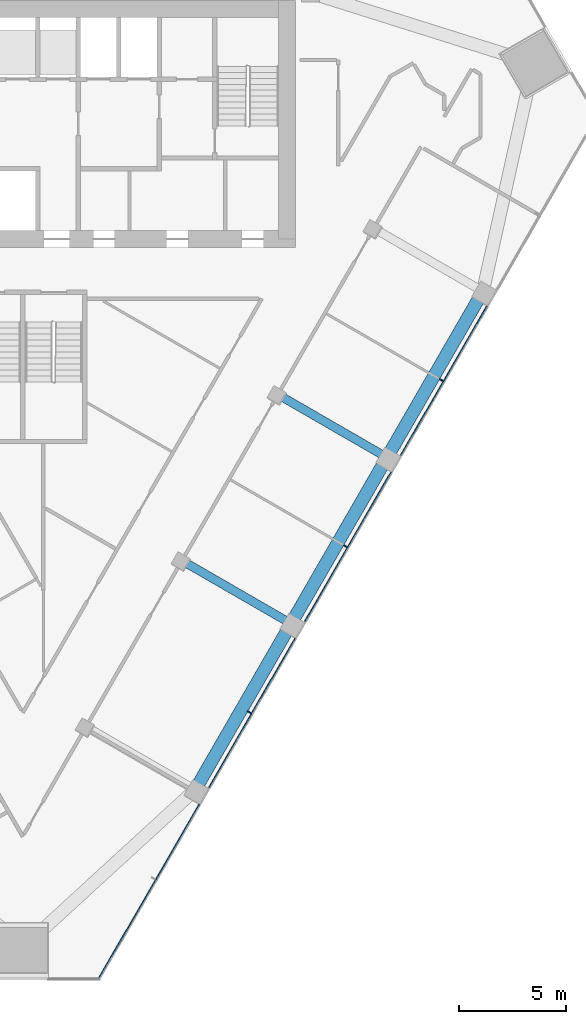
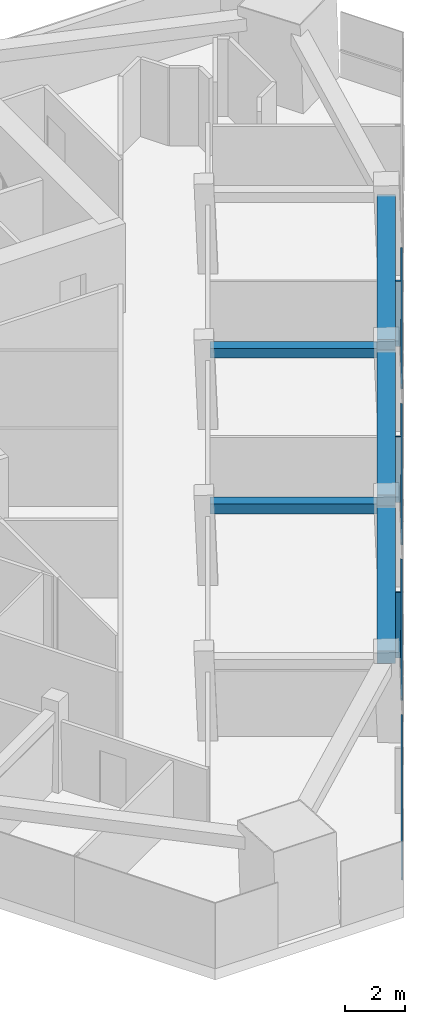
# One storey, part 4 of 13: 7 members, 5 beams, 1 element without a shape of its own.
"""IFC4 building model written with IfcOpenShell, lengths in metres."""

from ifc_helpers import new_model, si_unit, direction, frame, origin, origin_2d, place, context, subcontext, project, spatial, rectangle, extrude, material, layer, layer_set, material_profile, profile_set, type_object, element, aggregate, save


model = new_model("IFC4")

# Units and contexts
model_context = context("Model", 3, precision=1e-05, world=origin(), true_north=direction((0.0, 1.0)))
body_context = subcontext(model_context, "Body", "Model", "MODEL_VIEW")
ifc_project = project(units=[si_unit("LENGTHUNIT", "METRE"), si_unit("AREAUNIT", "SQUARE_METRE"), si_unit("VOLUMEUNIT", "CUBIC_METRE"), si_unit("PLANEANGLEUNIT", "RADIAN"), si_unit("MASSUNIT", "GRAM", prefix="KILO")], contexts=[model_context])

# Site, building, storey
site_placement = place(None, origin())
site = spatial("IfcSite", under=ifc_project, at=site_placement, CompositionType="ELEMENT")
building_placement = place(site_placement, origin())
building = spatial("IfcBuilding", under=site, at=building_placement, Name="Altiplano Prism Tower", CompositionType="ELEMENT")
storey_placement = place(building_placement, frame((0.0, 0.0, 156.60009765625)))
storey = spatial("IfcBuildingStorey", under=building, at=storey_placement, Name="L40", CompositionType="ELEMENT", Elevation=156.60009765625)

# Curtain wall, members
ifc_material_1 = material(Name="Aluminium and glass", Category="aluminium")
ifc_layer = layer(ifc_material_1, 0.303955078125)
ifc_layer_set = layer_set([ifc_layer], Name="Aluminium and glass")
curtain_wall_type = type_object("IfcCurtainWallType", Name="CW2 lounge-band unitised glazing", PredefinedType="NOTDEFINED", material=ifc_layer_set)
curtain_wall_placement = place(storey_placement, origin())
curtain_wall = element("IfcCurtainWall", 1, at=curtain_wall_placement, inside=storey, type_object=curtain_wall_type, Name="CW2 curtain wall south-east face L40", PredefinedType="NOTDEFINED")
ifc_material_2 = material(Name="Aluminium", Category="aluminium")
ifc_material_profile_1 = material_profile(ifc_material_2, rectangle(XDim=0.199951171875, YDim=0.06005859375, at=origin_2d()), Name="CW2 mullion 60 x 200")
ifc_profile_set_1 = profile_set([ifc_material_profile_1], Name="Aluminium")
member_type_1 = type_object("IfcMemberType", Name="CW2 mullion 60 x 200", PredefinedType="MULLION", material=ifc_profile_set_1)
member_1_placement = place(storey_placement, frame((95.630126953125, 70.79541015625, 0.0), z_axis=(0.0, 0.0, 1.0), x_axis=(-0.866025403025, 0.500000001315, 0.0)))
member_1 = element("IfcMember", 2, at=member_1_placement, type_object=member_type_1, Name="CW2 mullion", PredefinedType="MULLION", context=body_context, shape_type="SweptSolid", body=[
    extrude(rectangle(XDim=0.199951171875, YDim=0.06005859375, at=origin_2d()), origin(), (0.0, 0.0, 1.0), 2.64990234375),
])
member_2_placement = place(storey_placement, frame((100.130126953125, 78.589599609375, 0.0), z_axis=(0.0, 0.0, 1.0), x_axis=(-0.866025403025, 0.500000001315, 0.0)))
member_2 = element("IfcMember", 3, at=member_2_placement, type_object=member_type_1, Name="CW2 mullion", PredefinedType="MULLION", context=body_context, shape_type="SweptSolid", body=[
    extrude(rectangle(XDim=0.199951171875, YDim=0.06005859375, at=origin_2d()), origin(), (0.0, 0.0, 1.0), 2.64990234375),
])
member_3_placement = place(storey_placement, frame((104.630126953125, 86.3837890625, 0.0), z_axis=(0.0, 0.0, 1.0), x_axis=(-0.866025403025, 0.500000001315, 0.0)))
member_3 = element("IfcMember", 4, at=member_3_placement, type_object=member_type_1, Name="CW2 mullion", PredefinedType="MULLION", context=body_context, shape_type="SweptSolid", body=[
    extrude(rectangle(XDim=0.199951171875, YDim=0.06005859375, at=origin_2d()), origin(), (0.0, 0.0, 1.0), 2.64990234375),
])
ifc_material_profile_2 = material_profile(ifc_material_2, rectangle(XDim=0.06005859375, YDim=0.080078125, at=origin_2d()), Name="CW2 transom 80 x 60")
ifc_profile_set_2 = profile_set([ifc_material_profile_2], Name="Aluminium")
member_type_2 = type_object("IfcMemberType", Name="CW2 transom 80 x 60", PredefinedType="USERDEFINED", material=ifc_profile_set_2)
member_4_placement = place(storey_placement, frame((88.550537109375, 58.27294921875, 1.099853515625), z_axis=(0.500003221507, 0.866023543838, 0.0), x_axis=(-0.866023543838, 0.500003221507, 0.0)))
member_4 = element("IfcMember", 5, at=member_4_placement, type_object=member_type_2, Name="CW2 transom", ObjectType="TRANSOM", PredefinedType="USERDEFINED", context=body_context, shape_type="SweptSolid", body=[
    extrude(rectangle(XDim=0.06005859375, YDim=0.080078125, at=origin_2d()), origin(), (0.0, 0.0, 1.0), 9.458984375),
])
member_5_placement = place(storey_placement, frame((93.7451171875, 67.270263671875, 1.099853515625), z_axis=(0.499994808408, 0.866028401131, 0.0), x_axis=(-0.866028401131, 0.499994808408, 0.0)))
member_5 = element("IfcMember", 6, at=member_5_placement, type_object=member_type_2, Name="CW2 transom", ObjectType="TRANSOM", PredefinedType="USERDEFINED", context=body_context, shape_type="SweptSolid", body=[
    extrude(rectangle(XDim=0.06005859375, YDim=0.080078125, at=origin_2d()), origin(), (0.0, 0.0, 1.0), 8.06982421875),
])
member_6_placement = place(storey_placement, frame((98.2451171875, 75.064453125, 1.099853515625), z_axis=(0.499994808408, 0.866028401131, 0.0), x_axis=(-0.866028401131, 0.499994808408, 0.0)))
member_6 = element("IfcMember", 7, at=member_6_placement, type_object=member_type_2, Name="CW2 transom", ObjectType="TRANSOM", PredefinedType="USERDEFINED", context=body_context, shape_type="SweptSolid", body=[
    extrude(rectangle(XDim=0.06005859375, YDim=0.080078125, at=origin_2d()), origin(), (0.0, 0.0, 1.0), 8.06982421875),
])
member_7_placement = place(storey_placement, frame((102.7451171875, 82.858642578125, 1.099853515625), z_axis=(0.499994808408, 0.866028401131, 0.0), x_axis=(-0.866028401131, 0.499994808408, 0.0)))
member_7 = element("IfcMember", 8, at=member_7_placement, type_object=member_type_2, Name="CW2 transom", ObjectType="TRANSOM", PredefinedType="USERDEFINED", context=body_context, shape_type="SweptSolid", body=[
    extrude(rectangle(XDim=0.06005859375, YDim=0.080078125, at=origin_2d()), origin(), (0.0, 0.0, 1.0), 8.06982421875),
])
aggregate(curtain_wall, [member_4, member_1, member_5, member_2, member_6, member_3, member_7])

# Beams
ifc_material_3 = material(Name="Concrete C60/75", Category="concrete")
ifc_material_profile_3 = material_profile(ifc_material_3, rectangle(XDim=0.60009765625, YDim=0.5, at=origin_2d()), Name="Edge beam 600x500")
ifc_profile_set_3 = profile_set([ifc_material_profile_3], Name="Concrete C60/75")
beam_type_1 = type_object("IfcBeamType", Name="Edge beam 600x500", PredefinedType="SPANDREL", material=ifc_profile_set_3)
for number, where, z_axis, x_axis, name in (
    (9, (93.23974609375, 67.424072265625, 2.89990234375), (0.500010445942, 0.866019372733, 0.0), (-0.866019372733, 0.500010445942, 0.0), "Edge beam P21-P22 L41"),
    (10, (97.73974609375, 75.21826171875, 2.89990234375), (0.500010445942, 0.866019372733, 0.0), (-0.866019372733, 0.500010445942, 0.0), "Edge beam P22-P23 L41"),
    (11, (102.23974609375, 83.012451171875, 2.89990234375), (0.500010445942, 0.866019372733, 0.0), (-0.866019372733, 0.500010445942, 0.0), "Edge beam P23-P24 L41"),
):
    element("IfcBeam", number, at=place(storey_placement, frame(where, z_axis=z_axis, x_axis=x_axis)), inside=storey, type_object=beam_type_1, Name=name, PredefinedType="SPANDREL", context=body_context, shape_type="SweptSolid", body=[
        extrude(rectangle(XDim=0.60009765625, YDim=0.5, at=origin_2d()), origin(), (0.0, 0.0, 1.0), 8.389892578125),
    ])
ifc_material_profile_4 = material_profile(ifc_material_3, rectangle(XDim=0.39990234375, YDim=0.39990234375, at=origin_2d()), Name="Tie beam 400x400")
ifc_profile_set_4 = profile_set([ifc_material_profile_4], Name="Concrete C60/75")
beam_type_2 = type_object("IfcBeamType", Name="Tie beam 400x400", PredefinedType="BEAM", material=ifc_profile_set_4)
for number, where, z_axis, x_axis, name in (
    (12, (92.525390625, 77.876708984375, 2.949951171875), (0.866016055733, -0.50001619095, 0.0), (0.50001619095, 0.866016055733, 0.0), "Tie beam I22 L41"),
    (13, (97.025390625, 85.6708984375, 2.949951171875), (0.866016055733, -0.50001619095, 0.0), (0.50001619095, 0.866016055733, 0.0), "Tie beam I23 L41"),
):
    element("IfcBeam", number, at=place(storey_placement, frame(where, z_axis=z_axis, x_axis=x_axis)), inside=storey, type_object=beam_type_2, Name=name, PredefinedType="BEAM", context=body_context, shape_type="SweptSolid", body=[
        extrude(rectangle(XDim=0.39990234375, YDim=0.39990234375, at=origin_2d()), origin(), (0.0, 0.0, 1.0), 5.539794921875),
    ])

save(model, "model.ifc")
